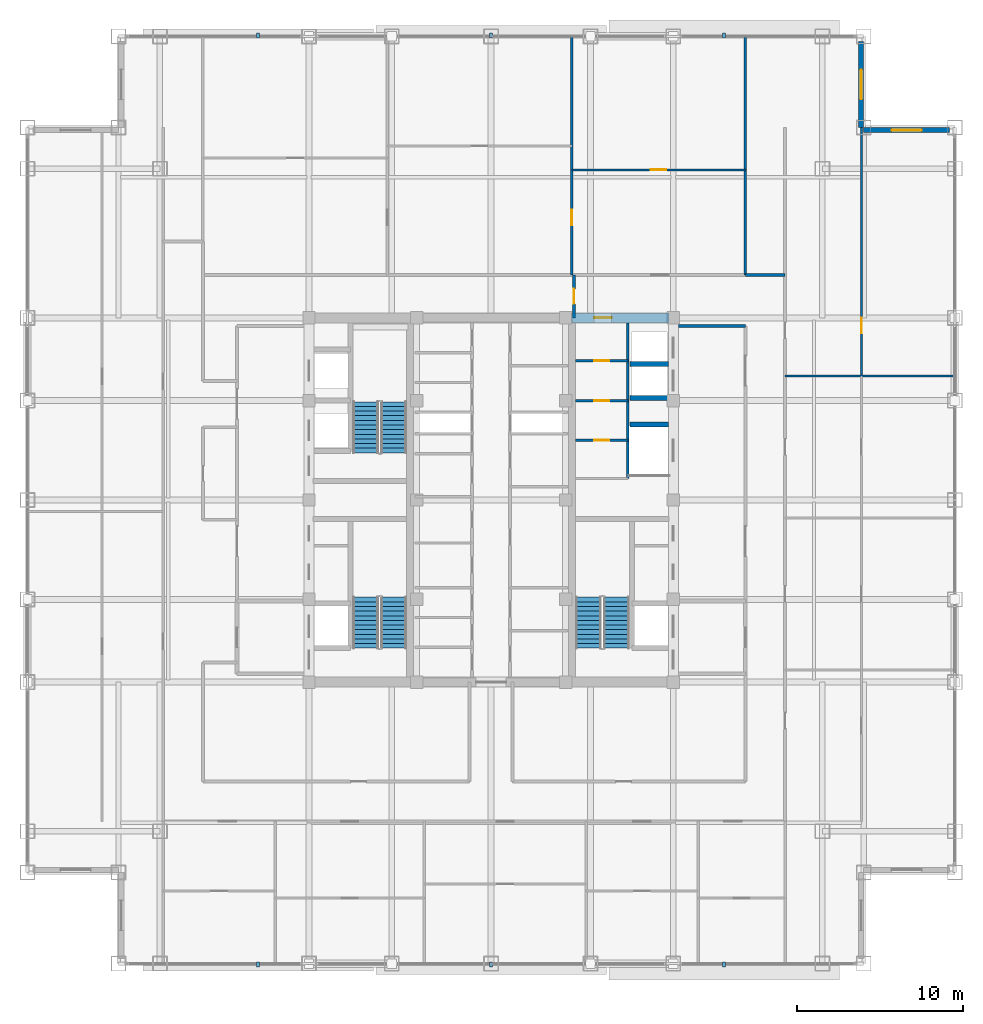
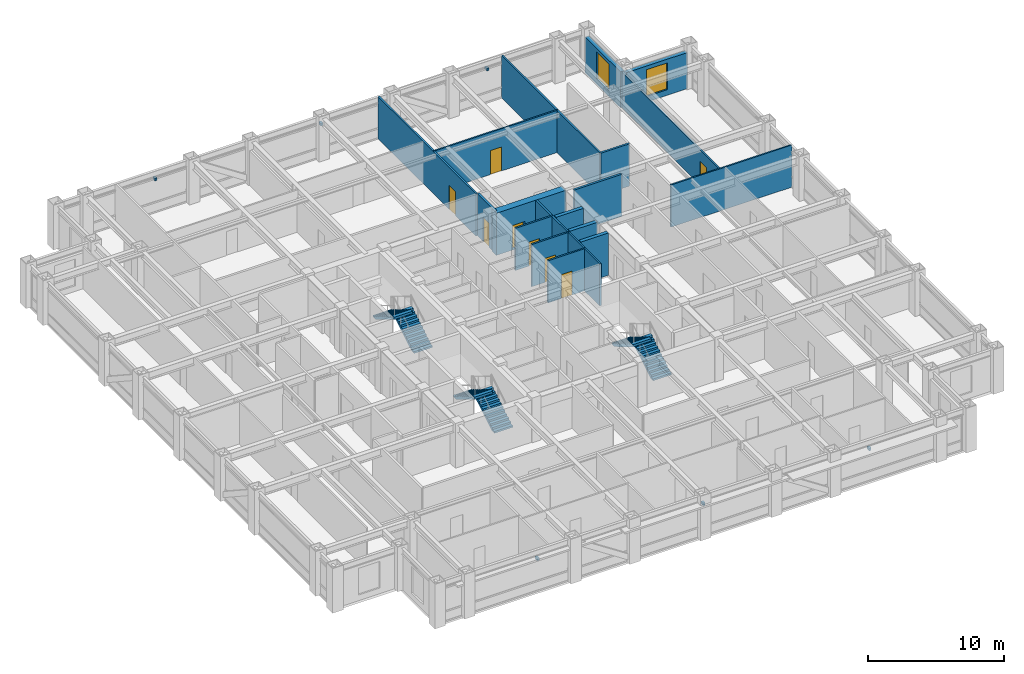
# One storey, part 22 of 27: 18 walls, 8 doors, 6 discrete accessories, 6 stair flights, 2 windows, 10 openings, 3 elements without a shape of their own.
"""IFC4 building model written with IfcOpenShell, lengths in metres."""

from ifc_helpers import new_model, si_unit, direction, frame, frame_2d, origin, origin_2d, place, context, subcontext, project, spatial, polyline, rectangle, outline, extrude, source, transform, mapped, material, layer, layer_set, type_object, element, fill, aggregate, save


model = new_model("IFC4")

# Units and contexts
model_context = context("Model", 3, precision=1e-05, world=origin(), true_north=direction((0.0, 1.0)))
body_context = subcontext(model_context, "Body", "Model", "MODEL_VIEW")
ifc_project = project(units=[si_unit("LENGTHUNIT", "METRE"), si_unit("AREAUNIT", "SQUARE_METRE"), si_unit("VOLUMEUNIT", "CUBIC_METRE"), si_unit("PLANEANGLEUNIT", "RADIAN"), si_unit("MASSUNIT", "GRAM", prefix="KILO")], contexts=[model_context])

# Site, building, storey
site_placement = place(None, origin())
site = spatial("IfcSite", under=ifc_project, at=site_placement, CompositionType="ELEMENT")
building_placement = place(site_placement, origin())
building = spatial("IfcBuilding", under=site, at=building_placement, Name="Khorayat Bourse Tower", CompositionType="ELEMENT")
storey_placement = place(building_placement, frame((0.0, 0.0, 281.5)))
storey = spatial("IfcBuildingStorey", under=building, at=storey_placement, Name="L66", CompositionType="ELEMENT", Elevation=281.5)

# Wall, opening, door
ifc_material_1 = material(Name="Concrete C60/75", Category="concrete")
ifc_layer_1 = layer(ifc_material_1, 0.60009765625)
ifc_layer_set_1 = layer_set([ifc_layer_1], Name="Concrete C60/75")
wall_type_1 = type_object("IfcWallType", Name="WAL-CORE-600", PredefinedType="SHEAR", material=ifc_layer_set_1)
shared_shape_1 = source(origin(), body_context, "Body", "SweptSolid", [
    extrude(rectangle(XDim=5.89990234375, YDim=0.60009765625, at=frame_2d((2.949951171875, 0.0))), origin(), (0.0, 0.0, 1.0), 3.780029296875),
])
wall_1_placement = place(storey_placement, frame((4.85009765625, 11.0, 0.0), z_axis=(0.0, 0.0, 1.0), x_axis=(1.0, 0.0, 0.0)))
wall_1 = element("IfcWall", 1, at=wall_1_placement, inside=storey, type_object=wall_type_1, Name="L66 Core Shear Wall PIER-EN", PredefinedType="SHEAR", context=body_context, shape_type="MappedRepresentation", body=[
    mapped(shared_shape_1, transform((0.0, 0.0, 0.0), scale=1.0)),
])
shared_shape_2 = source(origin(), body_context, "Body", "SweptSolid", [
    extrude(rectangle(XDim=1.050048828125, YDim=2.199951171875, at=frame_2d((0.52490234375, 1.10009765625))), frame((0.0, 0.31005859375, 0.0), z_axis=(0.0, -1.0, 0.0), x_axis=(1.0, 0.0, 0.0)), (0.0, 0.0, 1.0), 0.6201171875),
])
opening_1_placement = place(wall_1_placement, frame((1.375, 0.0, 0.0)))
opening_1 = element("IfcOpeningElement", 2, at=opening_1_placement, cuts=wall_1, Name="Opening DI-04", PredefinedType="OPENING", context=body_context, shape_type="MappedRepresentation", body=[
    mapped(shared_shape_2, transform((0.0, 0.0, 0.0), scale=1.0)),
])
ifc_material_2 = material(Name="Fire-rated oak veneer suite entrance door")
door_type_1 = type_object("IfcDoorType", Name="DR-INT-SUITE-1050", OperationType="NOTDEFINED", PredefinedType="DOOR", material=ifc_material_2)
shared_shape_3 = source(origin(), body_context, "Body", "SweptSolid", [
    extrude(rectangle(XDim=1.050048828125, YDim=2.199951171875, at=frame_2d((0.52490234375, 1.10009765625))), frame((0.0, 0.02490234375, 0.0), z_axis=(0.0, -1.0, 0.0), x_axis=(1.0, 0.0, 0.0)), (0.0, 0.0, 1.0), 0.050048828125),
])
door_1_placement = place(opening_1_placement, origin())
door_1 = element("IfcDoor", 3, at=door_1_placement, inside=storey, type_object=door_type_1, Name="L66 Core Washroom Lobby Door", OperationType="SINGLE_SWING_LEFT", OverallHeight=2.199951171875, OverallWidth=1.050048828125, PredefinedType="DOOR", context=body_context, shape_type="MappedRepresentation", body=[
    mapped(shared_shape_3, transform((0.0, 0.0, 0.0), scale=1.0)),
])
fill(opening_1, door_1)

# Wall, opening, window
ifc_material_3 = material(Name="Precast concrete C45/55", Category="concrete")
ifc_layer_2 = layer(ifc_material_3, 0.320068359375)
ifc_layer_set_2 = layer_set([ifc_layer_2], Name="Precast concrete C45/55")
wall_type_2 = type_object("IfcWallType", Name="WAL-EXT-STONE-320", PredefinedType="STANDARD", material=ifc_layer_set_2)
shared_shape_4 = source(origin(), body_context, "Body", "SweptSolid", [
    extrude(rectangle(XDim=5.179931640625, YDim=0.320068359375, at=frame_2d((2.58984375, 0.0))), origin(), (0.0, 0.0, 1.0), 3.23095703125),
])
wall_2_placement = place(storey_placement, frame((22.5, 22.340087890625, 0.0), z_axis=(0.0, 0.0, 1.0), x_axis=(1.0, 0.0, 0.0)))
wall_2 = element("IfcWall", 4, at=wall_2_placement, inside=storey, type_object=wall_type_2, Name="L66 Re-Entrant Notch Limestone Wall NE-H", PredefinedType="STANDARD", context=body_context, shape_type="MappedRepresentation", body=[
    mapped(shared_shape_4, transform((0.0, 0.0, 0.0), scale=1.0)),
])
shared_shape_5 = source(origin(), body_context, "Body", "SweptSolid", [
    extrude(rectangle(XDim=1.800048828125, YDim=2.39990234375, at=frame_2d((0.89990234375, 1.199951171875))), frame((0.0, 0.169921875, 0.0), z_axis=(0.0, -1.0, 0.0), x_axis=(1.0, 0.0, 0.0)), (0.0, 0.0, 1.0), 0.340087890625),
])
opening_2_placement = place(wall_2_placement, frame((1.68994140625, 0.0, 0.5)))
opening_2 = element("IfcOpeningElement", 5, at=opening_2_placement, cuts=wall_2, Name="Opening WN-04", PredefinedType="OPENING", context=body_context, shape_type="MappedRepresentation", body=[
    mapped(shared_shape_5, transform((0.0, 0.0, 0.0), scale=1.0)),
])
ifc_material_4 = material(Name="Low-E acoustic laminated double glazing", Category="glass")
window_type = type_object("IfcWindowType", Name="WIN-NOTCH-1800x2400", PartitioningType="SINGLE_PANEL", PredefinedType="WINDOW", material=ifc_material_4)
shared_shape_6 = source(origin(), body_context, "Body", "SweptSolid", [
    extrude(rectangle(XDim=1.800048828125, YDim=2.39990234375, at=frame_2d((0.89990234375, 1.199951171875))), frame((0.0, 0.030029296875, 0.0), z_axis=(0.0, -1.0, 0.0), x_axis=(1.0, 0.0, 0.0)), (0.0, 0.0, 1.0), 0.06005859375),
])
window_1_placement = place(opening_2_placement, origin())
window_1 = element("IfcWindow", 6, at=window_1_placement, inside=storey, type_object=window_type, Name="L66 Facade Window 1", OverallHeight=2.39990234375, OverallWidth=1.800048828125, PartitioningType="SINGLE_PANEL", PredefinedType="WINDOW", context=body_context, shape_type="MappedRepresentation", body=[
    mapped(shared_shape_6, transform((0.0, 0.0, 0.0), scale=1.0)),
])
fill(opening_2, window_1)

wall_3_placement = place(storey_placement, frame((22.340087890625, 22.5, 0.0), z_axis=(0.0, 0.0, 1.0), x_axis=(0.0, 1.0, 0.0)))
wall_3 = element("IfcWall", 7, at=wall_3_placement, inside=storey, type_object=wall_type_2, Name="L66 Re-Entrant Notch Limestone Wall NE-V", PredefinedType="STANDARD", context=body_context, shape_type="MappedRepresentation", body=[
    mapped(shared_shape_4, transform((0.0, 0.0, 0.0), scale=1.0)),
])
opening_3_placement = place(wall_3_placement, frame((1.68994140625, 0.0, 0.5)))
opening_3 = element("IfcOpeningElement", 8, at=opening_3_placement, cuts=wall_3, Name="Opening WN-04", PredefinedType="OPENING", context=body_context, shape_type="MappedRepresentation", body=[
    mapped(shared_shape_5, transform((0.0, 0.0, 0.0), scale=1.0)),
])
window_2_placement = place(opening_3_placement, origin())
window_2 = element("IfcWindow", 9, at=window_2_placement, inside=storey, type_object=window_type, Name="L66 Facade Window 1", OverallHeight=2.39990234375, OverallWidth=1.800048828125, PartitioningType="SINGLE_PANEL", PredefinedType="WINDOW", context=body_context, shape_type="MappedRepresentation", body=[
    mapped(shared_shape_6, transform((0.0, 0.0, 0.0), scale=1.0)),
])
fill(opening_3, window_2)

# Walls
ifc_material_5 = material(Name="Concrete C50/60", Category="concrete")
ifc_layer_3 = layer(ifc_material_5, 0.300048828125)
ifc_layer_set_3 = layer_set([ifc_layer_3], Name="Concrete C50/60")
wall_type_3 = type_object("IfcWallType", Name="WAL-SHAFT-300", PredefinedType="SHEAR", material=ifc_layer_set_3)
shared_shape_7 = source(origin(), body_context, "Body", "SweptSolid", [
    extrude(rectangle(XDim=2.300048828125, YDim=0.300048828125, at=frame_2d((1.14990234375, 0.0))), origin(), (0.0, 0.0, 1.0), 3.780029296875),
])
for number, where, z_axis, x_axis, name in (
    (10, (8.39990234375, 4.550048828125, 0.0), (0.0, 0.0, 1.0), (1.0, 0.0, 0.0), "L66 Partition WAL-L66-EPIER-SVLN"),
    (11, (8.39990234375, 6.14990234375, 0.0), (0.0, 0.0, 1.0), (1.0, 0.0, 0.0), "L66 Partition WAL-L66-EPIER-H3S"),
    (12, (8.39990234375, 8.199951171875, 0.0), (0.0, 0.0, 1.0), (1.0, 0.0, 0.0), "L66 Partition WAL-L66-EPIER-H34"),
):
    element("IfcWall", number, at=place(storey_placement, frame(where, z_axis=z_axis, x_axis=x_axis)), inside=storey, type_object=wall_type_3, Name=name, PredefinedType="SHEAR", context=body_context, shape_type="MappedRepresentation", body=[
        mapped(shared_shape_7, transform((0.0, 0.0, 0.0), scale=1.0)),
    ])
ifc_material_6 = material(Name="Moisture-resistant masonry partition", Category="masonry")
ifc_layer_4 = layer(ifc_material_6, 0.139892578125)
ifc_layer_set_4 = layer_set([ifc_layer_4], Name="Moisture-resistant masonry partition")
wall_type_4 = type_object("IfcWallType", Name="WAL-PART-WET-140", PredefinedType="PARTITIONING", material=ifc_layer_set_4)
shared_shape_8 = source(origin(), body_context, "Body", "SweptSolid", [
    extrude(rectangle(XDim=9.39990234375, YDim=0.139892578125, at=frame_2d((4.699951171875, 0.0))), origin(), (0.0, 0.0, 1.0), 3.780029296875),
])
wall_4_placement = place(storey_placement, frame((8.25, 1.300048828125, 0.0), z_axis=(0.0, 0.0, 1.0), x_axis=(0.0, 1.0, 0.0)))
element("IfcWall", 13, at=wall_4_placement, inside=storey, type_object=wall_type_4, Name="L66 Partition WAL-L66-ECORE-E", PredefinedType="PARTITIONING", context=body_context, shape_type="MappedRepresentation", body=[
    mapped(shared_shape_8, transform((0.0, 0.0, 0.0), scale=1.0)),
])

# Wall, opening, door
shared_shape_9 = source(origin(), body_context, "Body", "SweptSolid", [
    extrude(rectangle(XDim=3.14990234375, YDim=0.139892578125, at=frame_2d((1.574951171875, 0.0))), origin(), (0.0, 0.0, 1.0), 3.780029296875),
])
wall_5_placement = place(storey_placement, frame((5.10009765625, 8.39990234375, 0.0), z_axis=(0.0, 0.0, 1.0), x_axis=(1.0, 0.0, 0.0)))
wall_5 = element("IfcWall", 14, at=wall_5_placement, inside=storey, type_object=wall_type_4, Name="L66 Partition WAL-L66-ECW-TOP", PredefinedType="PARTITIONING", context=body_context, shape_type="MappedRepresentation", body=[
    mapped(shared_shape_9, transform((0.0, 0.0, 0.0), scale=1.0)),
])
shared_shape_10 = source(origin(), body_context, "Body", "SweptSolid", [
    extrude(rectangle(XDim=0.89990234375, YDim=2.14990234375, at=frame_2d((0.449951171875, 1.074951171875))), frame((0.0, 0.079833984375, 0.0), z_axis=(0.0, -1.0, 0.0), x_axis=(1.0, 0.0, 0.0)), (0.0, 0.0, 1.0), 0.159912109375),
])
opening_4_placement = place(wall_5_placement, frame((1.1298828125, 0.0, 0.0)))
opening_4 = element("IfcOpeningElement", 15, at=opening_4_placement, cuts=wall_5, Name="Opening DI-06", PredefinedType="OPENING", context=body_context, shape_type="MappedRepresentation", body=[
    mapped(shared_shape_10, transform((0.0, 0.0, 0.0), scale=1.0)),
])
ifc_material_7 = material(Name="Moisture-resistant laminate washroom door")
door_type_2 = type_object("IfcDoorType", Name="DR-INT-WC-900", OperationType="NOTDEFINED", PredefinedType="DOOR", material=ifc_material_7)
shared_shape_11 = source(origin(), body_context, "Body", "SweptSolid", [
    extrude(rectangle(XDim=0.89990234375, YDim=2.14990234375, at=frame_2d((0.449951171875, 1.074951171875))), frame((0.0, 0.02490234375, 0.0), z_axis=(0.0, -1.0, 0.0), x_axis=(1.0, 0.0, 0.0)), (0.0, 0.0, 1.0), 0.050048828125),
])
door_2_placement = place(opening_4_placement, origin())
door_2 = element("IfcDoor", 16, at=door_2_placement, inside=storey, type_object=door_type_2, Name="L66 Accessible WC Door", OperationType="SINGLE_SWING_LEFT", OverallHeight=2.14990234375, OverallWidth=0.89990234375, PredefinedType="DOOR", context=body_context, shape_type="MappedRepresentation", body=[
    mapped(shared_shape_11, transform((0.0, 0.0, 0.0), scale=1.0)),
])
fill(opening_4, door_2)

wall_6_placement = place(storey_placement, frame((5.10009765625, 6.0, 0.0), z_axis=(0.0, 0.0, 1.0), x_axis=(1.0, 0.0, 0.0)))
wall_6 = element("IfcWall", 17, at=wall_6_placement, inside=storey, type_object=wall_type_4, Name="L66 Partition WAL-L66-ECW-H1", PredefinedType="PARTITIONING", context=body_context, shape_type="MappedRepresentation", body=[
    mapped(shared_shape_9, transform((0.0, 0.0, 0.0), scale=1.0)),
])
opening_5_placement = place(wall_6_placement, frame((1.1298828125, 0.0, 0.0)))
opening_5 = element("IfcOpeningElement", 18, at=opening_5_placement, cuts=wall_6, Name="Opening DI-06", PredefinedType="OPENING", context=body_context, shape_type="MappedRepresentation", body=[
    mapped(shared_shape_10, transform((0.0, 0.0, 0.0), scale=1.0)),
])
door_3_placement = place(opening_5_placement, origin())
door_3 = element("IfcDoor", 19, at=door_3_placement, inside=storey, type_object=door_type_2, Name="L66 Shared Washroom Door", OperationType="SINGLE_SWING_RIGHT", OverallHeight=2.14990234375, OverallWidth=0.89990234375, PredefinedType="DOOR", context=body_context, shape_type="MappedRepresentation", body=[
    mapped(shared_shape_11, transform((0.0, 0.0, 0.0), scale=1.0)),
])
fill(opening_5, door_3)

wall_7_placement = place(storey_placement, frame((5.10009765625, 3.60009765625, 0.0), z_axis=(0.0, 0.0, 1.0), x_axis=(1.0, 0.0, 0.0)))
wall_7 = element("IfcWall", 20, at=wall_7_placement, inside=storey, type_object=wall_type_4, Name="L66 Partition WAL-L66-ECW-H2", PredefinedType="PARTITIONING", context=body_context, shape_type="MappedRepresentation", body=[
    mapped(shared_shape_9, transform((0.0, 0.0, 0.0), scale=1.0)),
])
opening_6_placement = place(wall_7_placement, frame((1.1298828125, 0.0, 0.0)))
opening_6 = element("IfcOpeningElement", 21, at=opening_6_placement, cuts=wall_7, Name="Opening DI-06", PredefinedType="OPENING", context=body_context, shape_type="MappedRepresentation", body=[
    mapped(shared_shape_10, transform((0.0, 0.0, 0.0), scale=1.0)),
])
door_4_placement = place(opening_6_placement, origin())
door_4 = element("IfcDoor", 22, at=door_4_placement, inside=storey, type_object=door_type_2, Name="L66 Staff Washroom Door", OperationType="SINGLE_SWING_LEFT", OverallHeight=2.14990234375, OverallWidth=0.89990234375, PredefinedType="DOOR", context=body_context, shape_type="MappedRepresentation", body=[
    mapped(shared_shape_11, transform((0.0, 0.0, 0.0), scale=1.0)),
])
fill(opening_6, door_4)

# Wall
ifc_material_8 = material(Name="Gypsum plasterboard acoustic stud wall")
ifc_layer_5 = layer(ifc_material_8, 0.179931640625)
ifc_layer_set_5 = layer_set([ifc_layer_5], Name="Gypsum plasterboard acoustic stud wall")
wall_type_5 = type_object("IfcWallType", Name="WAL-PART-CORR-180", PredefinedType="PARTITIONING", material=ifc_layer_set_5)
shared_shape_12 = source(origin(), body_context, "Body", "SweptSolid", [
    extrude(rectangle(XDim=4.050048828125, YDim=0.179931640625, at=frame_2d((2.02490234375, 0.0))), origin(), (0.0, 0.0, 1.0), 3.780029296875),
])
wall_8_placement = place(storey_placement, frame((11.300048828125, 10.5, 0.0), z_axis=(0.0, 0.0, 1.0), x_axis=(1.0, 0.0, 0.0)))
element("IfcWall", 23, at=wall_8_placement, inside=storey, type_object=wall_type_5, Name="L66 Partition WAL-L66-ELOB-N", PredefinedType="PARTITIONING", context=body_context, shape_type="MappedRepresentation", body=[
    mapped(shared_shape_12, transform((0.0, 0.0, 0.0), scale=1.0)),
])

# Wall, opening, door
shared_shape_13 = source(origin(), body_context, "Body", "SweptSolid", [
    extrude(rectangle(XDim=2.60009765625, YDim=0.179931640625, at=frame_2d((1.300048828125, 0.0))), origin(), (0.0, 0.0, 1.0), 3.780029296875),
])
wall_9_placement = place(storey_placement, frame((5.0, 11.0, 0.0), z_axis=(0.0, 0.0, 1.0), x_axis=(0.0, 1.0, 0.0)))
wall_9 = element("IfcWall", 24, at=wall_9_placement, inside=storey, type_object=wall_type_5, Name="L66 Partition WAL-L66-CORRNE-W", PredefinedType="PARTITIONING", context=body_context, shape_type="MappedRepresentation", body=[
    mapped(shared_shape_13, transform((0.0, 0.0, 0.0), scale=1.0)),
])
shared_shape_14 = source(origin(), body_context, "Body", "SweptSolid", [
    extrude(rectangle(XDim=0.89990234375, YDim=2.14990234375, at=frame_2d((0.449951171875, 1.074951171875))), frame((0.0, 0.099853515625, 0.0), z_axis=(0.0, -1.0, 0.0), x_axis=(1.0, 0.0, 0.0)), (0.0, 0.0, 1.0), 0.199951171875),
])
opening_7_placement = place(wall_9_placement, frame((0.85009765625, 0.0, 0.0)))
opening_7 = element("IfcOpeningElement", 25, at=opening_7_placement, cuts=wall_9, Name="Opening DI-06", PredefinedType="OPENING", context=body_context, shape_type="MappedRepresentation", body=[
    mapped(shared_shape_14, transform((0.0, 0.0, 0.0), scale=1.0)),
])
door_5_placement = place(opening_7_placement, origin())
door_5 = element("IfcDoor", 26, at=door_5_placement, inside=storey, type_object=door_type_2, Name="L66 North Core Pantry Door", OperationType="SINGLE_SWING_LEFT", OverallHeight=2.14990234375, OverallWidth=0.89990234375, PredefinedType="DOOR", context=body_context, shape_type="MappedRepresentation", body=[
    mapped(shared_shape_11, transform((0.0, 0.0, 0.0), scale=1.0)),
])
fill(opening_7, door_5)

# Wall
shared_shape_15 = source(origin(), body_context, "Body", "SweptSolid", [
    extrude(rectangle(XDim=2.39990234375, YDim=0.179931640625, at=frame_2d((1.199951171875, 0.0))), origin(), (0.0, 0.0, 1.0), 3.780029296875),
])
wall_10_placement = place(storey_placement, frame((15.35009765625, 13.60009765625, 0.0), z_axis=(0.0, 0.0, 1.0), x_axis=(1.0, 0.0, 0.0)))
element("IfcWall", 27, at=wall_10_placement, inside=storey, type_object=wall_type_5, Name="L66 Partition WAL-L66-GALE-N", PredefinedType="PARTITIONING", context=body_context, shape_type="MappedRepresentation", body=[
    mapped(shared_shape_15, transform((0.0, 0.0, 0.0), scale=1.0)),
])

# Wall, opening, door
ifc_material_9 = material(Name="Gypsum plasterboard twin-frame partition")
ifc_layer_6 = layer(ifc_material_9, 0.14990234375)
ifc_layer_set_6 = layer_set([ifc_layer_6], Name="Gypsum plasterboard twin-frame partition")
wall_type_6 = type_object("IfcWallType", Name="WAL-PART-SUITE-150", PredefinedType="PARTITIONING", material=ifc_layer_set_6)
shared_shape_16 = source(origin(), body_context, "Body", "SweptSolid", [
    extrude(rectangle(XDim=14.39990234375, YDim=0.14990234375, at=frame_2d((7.199951171875, 0.0))), origin(), (0.0, 0.0, 1.0), 3.780029296875),
])
wall_11_placement = place(storey_placement, frame((4.8701171875, 13.60009765625, 0.0), z_axis=(0.0, 0.0, 1.0), x_axis=(0.0, 1.0, 0.0)))
wall_11 = element("IfcWall", 28, at=wall_11_placement, inside=storey, type_object=wall_type_6, Name="L66 Partition WAL-L66-NDV-2", PredefinedType="PARTITIONING", context=body_context, shape_type="MappedRepresentation", body=[
    mapped(shared_shape_16, transform((0.0, 0.0, 0.0), scale=1.0)),
])
shared_shape_17 = source(origin(), body_context, "Body", "SweptSolid", [
    extrude(rectangle(XDim=0.949951171875, YDim=2.14990234375, at=frame_2d((0.47509765625, 1.074951171875))), frame((0.0, 0.0849609375, 0.0), z_axis=(0.0, -1.0, 0.0), x_axis=(1.0, 0.0, 0.0)), (0.0, 0.0, 1.0), 0.169921875),
])
opening_8_placement = place(wall_11_placement, frame((2.98095703125, 0.0, 0.0)))
opening_8 = element("IfcOpeningElement", 29, at=opening_8_placement, cuts=wall_11, Name="Opening DI-05", PredefinedType="OPENING", context=body_context, shape_type="MappedRepresentation", body=[
    mapped(shared_shape_17, transform((0.0, 0.0, 0.0), scale=1.0)),
])
ifc_material_10 = material(Name="Acoustic oak veneer office door")
door_type_3 = type_object("IfcDoorType", Name="DR-INT-OFFICE-950", OperationType="NOTDEFINED", PredefinedType="DOOR", material=ifc_material_10)
shared_shape_18 = source(origin(), body_context, "Body", "SweptSolid", [
    extrude(rectangle(XDim=0.949951171875, YDim=2.14990234375, at=frame_2d((0.47509765625, 1.074951171875))), frame((0.0, 0.02490234375, 0.0), z_axis=(0.0, -1.0, 0.0), x_axis=(1.0, 0.0, 0.0)), (0.0, 0.0, 1.0), 0.050048828125),
])
door_6_placement = place(opening_8_placement, origin())
door_6 = element("IfcDoor", 30, at=door_6_placement, inside=storey, type_object=door_type_3, Name="L66 N Suite Link 2", OperationType="SINGLE_SWING_LEFT", OverallHeight=2.14990234375, OverallWidth=0.949951171875, PredefinedType="DOOR", context=body_context, shape_type="MappedRepresentation", body=[
    mapped(shared_shape_18, transform((0.0, 0.0, 0.0), scale=1.0)),
])
fill(opening_8, door_6)

# Walls
wall_12_placement = place(storey_placement, frame((15.35009765625, 13.60009765625, 0.0), z_axis=(0.0, 0.0, 1.0), x_axis=(0.0, 1.0, 0.0)))
element("IfcWall", 31, at=wall_12_placement, inside=storey, type_object=wall_type_6, Name="L66 Partition WAL-L66-NCE-END", PredefinedType="PARTITIONING", context=body_context, shape_type="MappedRepresentation", body=[
    mapped(shared_shape_16, transform((0.0, 0.0, 0.0), scale=1.0)),
])
ifc_material_11 = material(Name="Gypsum plasterboard partition")
ifc_layer_7 = layer(ifc_material_11, 0.125)
ifc_layer_set_7 = layer_set([ifc_layer_7], Name="Gypsum plasterboard partition")
wall_type_7 = type_object("IfcWallType", Name="WAL-PART-ROOM-125", PredefinedType="PARTITIONING", material=ifc_layer_set_7)
shared_shape_19 = source(origin(), body_context, "Body", "SweptSolid", [
    extrude(rectangle(XDim=10.25, YDim=0.125, at=frame_2d((5.125, 0.0))), origin(), (0.0, 0.0, 1.0), 3.780029296875),
])
wall_13_placement = place(storey_placement, frame((17.75, 7.47998046875, 0.0), z_axis=(0.0, 0.0, 1.0), x_axis=(1.0, 0.0, 0.0)))
element("IfcWall", 32, at=wall_13_placement, inside=storey, type_object=wall_type_7, Name="L66 Partition WAL-L66-EDV-3", PredefinedType="PARTITIONING", context=body_context, shape_type="MappedRepresentation", body=[
    mapped(shared_shape_19, transform((0.0, 0.0, 0.0), scale=1.0)),
])

# Wall, opening, door
shared_shape_20 = source(origin(), body_context, "Body", "SweptSolid", [
    extrude(rectangle(XDim=10.47998046875, YDim=0.125, at=frame_2d((5.239990234375, 0.0))), origin(), (0.0, 0.0, 1.0), 3.780029296875),
])
wall_14_placement = place(storey_placement, frame((4.8701171875, 19.93603515625, 0.0), z_axis=(0.0, 0.0, 1.0), x_axis=(1.0, 0.0, 0.0)))
wall_14 = element("IfcWall", 33, at=wall_14_placement, inside=storey, type_object=wall_type_7, Name="L66 Partition WAL-L66-NDP-3", PredefinedType="PARTITIONING", context=body_context, shape_type="MappedRepresentation", body=[
    mapped(shared_shape_20, transform((0.0, 0.0, 0.0), scale=1.0)),
])
shared_shape_21 = source(origin(), body_context, "Body", "SweptSolid", [
    extrude(rectangle(XDim=0.949951171875, YDim=2.14990234375, at=frame_2d((0.47509765625, 1.074951171875))), frame((0.0, 0.072509765625, 0.0), z_axis=(0.0, -1.0, 0.0), x_axis=(1.0, 0.0, 0.0)), (0.0, 0.0, 1.0), 0.14501953125),
])
opening_9_placement = place(wall_14_placement, frame((4.764892578125, 0.0, 0.0)))
opening_9 = element("IfcOpeningElement", 34, at=opening_9_placement, cuts=wall_14, Name="Opening DI-05", PredefinedType="OPENING", context=body_context, shape_type="MappedRepresentation", body=[
    mapped(shared_shape_21, transform((0.0, 0.0, 0.0), scale=1.0)),
])
door_7_placement = place(opening_9_placement, origin())
door_7 = element("IfcDoor", 35, at=door_7_placement, inside=storey, type_object=door_type_3, Name="L66 Market Risk Analytics Workspace N3B Door", OperationType="SINGLE_SWING_RIGHT", OverallHeight=2.14990234375, OverallWidth=0.949951171875, PredefinedType="DOOR", context=body_context, shape_type="MappedRepresentation", body=[
    mapped(shared_shape_18, transform((0.0, 0.0, 0.0), scale=1.0)),
])
fill(opening_9, door_7)

shared_shape_22 = source(origin(), body_context, "Body", "SweptSolid", [
    extrude(rectangle(XDim=15.02001953125, YDim=0.125, at=frame_2d((7.510009765625, 0.0))), origin(), (0.0, 0.0, 1.0), 3.1640625),
])
wall_15_placement = place(storey_placement, frame((22.362548828125, 7.47998046875, 0.0), z_axis=(0.0, 0.0, 1.0), x_axis=(0.0, 1.0, 0.0)))
wall_15 = element("IfcWall", 36, at=wall_15_placement, inside=storey, type_object=wall_type_7, Name="L66 Partition WAL-L66-EDP-4", PredefinedType="PARTITIONING", context=body_context, shape_type="MappedRepresentation", body=[
    mapped(shared_shape_22, transform((0.0, 0.0, 0.0), scale=1.0)),
])
opening_10_placement = place(wall_15_placement, frame((2.5849609375, 0.0, 0.0)))
opening_10 = element("IfcOpeningElement", 37, at=opening_10_placement, cuts=wall_15, Name="Opening DI-05", PredefinedType="OPENING", context=body_context, shape_type="MappedRepresentation", body=[
    mapped(shared_shape_21, transform((0.0, 0.0, 0.0), scale=1.0)),
])
door_8_placement = place(opening_10_placement, origin())
door_8 = element("IfcDoor", 38, at=door_8_placement, inside=storey, type_object=door_type_3, Name="L66 Clearing Operations Office E4B Door", OperationType="SINGLE_SWING_LEFT", OverallHeight=2.14990234375, OverallWidth=0.949951171875, PredefinedType="DOOR", context=body_context, shape_type="MappedRepresentation", body=[
    mapped(shared_shape_18, transform((0.0, 0.0, 0.0), scale=1.0)),
])
fill(opening_10, door_8)

# Stair, stair flights
ifc_material_12 = material(Name="Concrete C40/50", Category="concrete")
stair_type = type_object("IfcStairType", Name="STR-CORE-1550", PredefinedType="HALF_TURN_STAIR", material=ifc_material_12)
stair_1_placement = place(storey_placement, origin())
stair_1 = element("IfcStair", 39, at=stair_1_placement, inside=storey, type_object=stair_type, Name="L66 Exit Stair ST-1", PredefinedType="HALF_TURN_STAIR")
stair_flight_type = type_object("IfcStairFlightType", Name="FLT-CORE-1550", PredefinedType="STRAIGHT", material=ifc_material_12)
shared_shape_23 = source(origin(), body_context, "Body", "SweptSolid", [
    extrude(outline(polyline([(0.0, 0.0), (0.0, 0.166748046875), (0.280029296875, 0.166748046875), (0.280029296875, 0.333251953125), (0.56005859375, 0.333251953125), (0.56005859375, 0.5), (0.840087890625, 0.5), (0.840087890625, 0.666748046875), (1.1201171875, 0.666748046875), (1.1201171875, 0.833251953125), (1.39990234375, 0.833251953125), (1.39990234375, 1.0), (1.679931640625, 1.0), (1.679931640625, 1.166748046875), (1.9599609375, 1.166748046875), (1.9599609375, 1.333251953125), (2.239990234375, 1.333251953125), (2.239990234375, 1.5), (2.52001953125, 1.5), (2.52001953125, 1.666748046875), (2.800048828125, 1.666748046875), (2.800048828125, 1.833251953125), (3.080078125, 1.833251953125), (3.080078125, 2.0), (3.080078125, 1.6240234375), (0.351806640625, 0.0), (0.0, 0.0)])), frame((0.0, 0.77490234375, 0.0), z_axis=(0.0, -1.0, 0.0), x_axis=(1.0, 0.0, 0.0)), (0.0, 0.0, 1.0), 1.550048828125),
])
stair_flight_1_placement = place(storey_placement, frame((-5.875, -8.949951171875, 0.0), z_axis=(0.0, 0.0, 1.0), x_axis=(0.0, 1.0, 0.0)))
stair_flight_1 = element("IfcStairFlight", 40, at=stair_flight_1_placement, type_object=stair_flight_type, Name="ST-1 flight 1", NumberOfRisers=12, NumberOfTreads=11, PredefinedType="STRAIGHT", RiserHeight=0.166666667, TreadLength=0.28, context=body_context, shape_type="MappedRepresentation", body=[
    mapped(shared_shape_23, transform((0.0, 0.0, 0.0), scale=1.0)),
])
stair_flight_2_placement = place(storey_placement, frame((-7.574951171875, -5.8701171875, 2.0), z_axis=(0.0, 0.0, 1.0), x_axis=(0.0, -1.0, 0.0)))
stair_flight_2 = element("IfcStairFlight", 41, at=stair_flight_2_placement, type_object=stair_flight_type, Name="ST-1 flight 2", NumberOfRisers=12, NumberOfTreads=11, PredefinedType="STRAIGHT", RiserHeight=0.166666667, TreadLength=0.28, context=body_context, shape_type="MappedRepresentation", body=[
    mapped(shared_shape_23, transform((0.0, 0.0, 0.0), scale=1.0)),
])
aggregate(stair_1, [stair_flight_1, stair_flight_2])

stair_2_placement = place(storey_placement, origin())
stair_2 = element("IfcStair", 42, at=stair_2_placement, inside=storey, type_object=stair_type, Name="L66 Exit Stair ST-2", PredefinedType="HALF_TURN_STAIR")
stair_flight_3_placement = place(storey_placement, frame((-5.875, 2.85009765625, 0.0), z_axis=(0.0, 0.0, 1.0), x_axis=(0.0, 1.0, 0.0)))
stair_flight_3 = element("IfcStairFlight", 43, at=stair_flight_3_placement, type_object=stair_flight_type, Name="ST-2 flight 1", NumberOfRisers=12, NumberOfTreads=11, PredefinedType="STRAIGHT", RiserHeight=0.166666667, TreadLength=0.28, context=body_context, shape_type="MappedRepresentation", body=[
    mapped(shared_shape_23, transform((0.0, 0.0, 0.0), scale=1.0)),
])
stair_flight_4_placement = place(storey_placement, frame((-7.574951171875, 5.929931640625, 2.0), z_axis=(0.0, 0.0, 1.0), x_axis=(0.0, -1.0, 0.0)))
stair_flight_4 = element("IfcStairFlight", 44, at=stair_flight_4_placement, type_object=stair_flight_type, Name="ST-2 flight 2", NumberOfRisers=12, NumberOfTreads=11, PredefinedType="STRAIGHT", RiserHeight=0.166666667, TreadLength=0.28, context=body_context, shape_type="MappedRepresentation", body=[
    mapped(shared_shape_23, transform((0.0, 0.0, 0.0), scale=1.0)),
])
aggregate(stair_2, [stair_flight_3, stair_flight_4])

stair_3_placement = place(storey_placement, origin())
stair_3 = element("IfcStair", 45, at=stair_3_placement, inside=storey, type_object=stair_type, Name="L66 Exit Stair ST-3", PredefinedType="HALF_TURN_STAIR")
stair_flight_5_placement = place(storey_placement, frame((7.574951171875, -8.949951171875, 0.0), z_axis=(0.0, 0.0, 1.0), x_axis=(0.0, 1.0, 0.0)))
stair_flight_5 = element("IfcStairFlight", 46, at=stair_flight_5_placement, type_object=stair_flight_type, Name="ST-3 flight 1", NumberOfRisers=12, NumberOfTreads=11, PredefinedType="STRAIGHT", RiserHeight=0.166666667, TreadLength=0.28, context=body_context, shape_type="MappedRepresentation", body=[
    mapped(shared_shape_23, transform((0.0, 0.0, 0.0), scale=1.0)),
])
stair_flight_6_placement = place(storey_placement, frame((5.875, -5.8701171875, 2.0), z_axis=(0.0, 0.0, 1.0), x_axis=(0.0, -1.0, 0.0)))
stair_flight_6 = element("IfcStairFlight", 47, at=stair_flight_6_placement, type_object=stair_flight_type, Name="ST-3 flight 2", NumberOfRisers=12, NumberOfTreads=11, PredefinedType="STRAIGHT", RiserHeight=0.166666667, TreadLength=0.28, context=body_context, shape_type="MappedRepresentation", body=[
    mapped(shared_shape_23, transform((0.0, 0.0, 0.0), scale=1.0)),
])
aggregate(stair_3, [stair_flight_5, stair_flight_6])

# Discrete accessories
ifc_material_13 = material(Name="Steel EN 10025-2 S355J2", Category="steel")
discrete_accessory_type = type_object("IfcDiscreteAccessoryType", Name="ACC-SHADE-BRACKET", PredefinedType="BRACKET", material=ifc_material_13)
shared_shape_24 = source(origin(), body_context, "Body", "SweptSolid", [
    extrude(rectangle(XDim=0.179931640625, YDim=0.300048828125, at=origin_2d()), origin(), (0.0, 0.0, 1.0), 0.239990234375),
])
for number, where, z_axis, x_axis, name in (
    (48, (-14.066650390625, -28.06005859375, 2.8798828125), (0.0, 0.0, 1.0), (1.0, 0.0, 0.0), "L66 Sunshade Support Bracket S-1"),
    (49, (0.0, -28.06005859375, 2.8798828125), (0.0, 0.0, 1.0), (1.0, 0.0, 0.0), "L66 Sunshade Support Bracket S-2"),
    (50, (14.066650390625, -28.06005859375, 2.8798828125), (0.0, 0.0, 1.0), (1.0, 0.0, 0.0), "L66 Sunshade Support Bracket S-3"),
    (51, (-14.066650390625, 28.06005859375, 2.8798828125), (0.0, 0.0, 1.0), (1.0, 0.0, 0.0), "L66 Sunshade Support Bracket N-1"),
    (52, (0.0, 28.06005859375, 2.8798828125), (0.0, 0.0, 1.0), (1.0, 0.0, 0.0), "L66 Sunshade Support Bracket N-2"),
    (53, (14.066650390625, 28.06005859375, 2.8798828125), (0.0, 0.0, 1.0), (1.0, 0.0, 0.0), "L66 Sunshade Support Bracket N-3"),
):
    element("IfcDiscreteAccessory", number, at=place(storey_placement, frame(where, z_axis=z_axis, x_axis=x_axis)), inside=storey, type_object=discrete_accessory_type, Name=name, PredefinedType="BRACKET", context=body_context, shape_type="MappedRepresentation", body=[
        mapped(shared_shape_24, transform((0.0, 0.0, 0.0), scale=1.0)),
    ])

save(model, "model.ifc")
